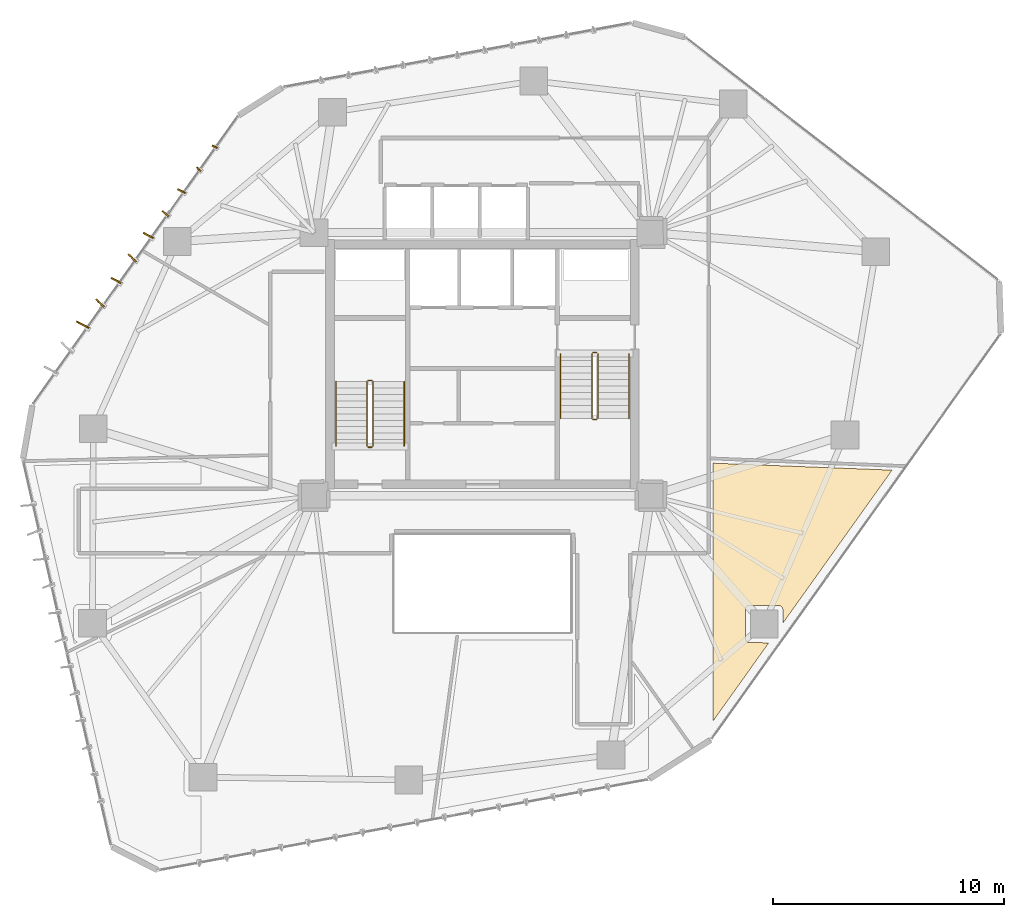
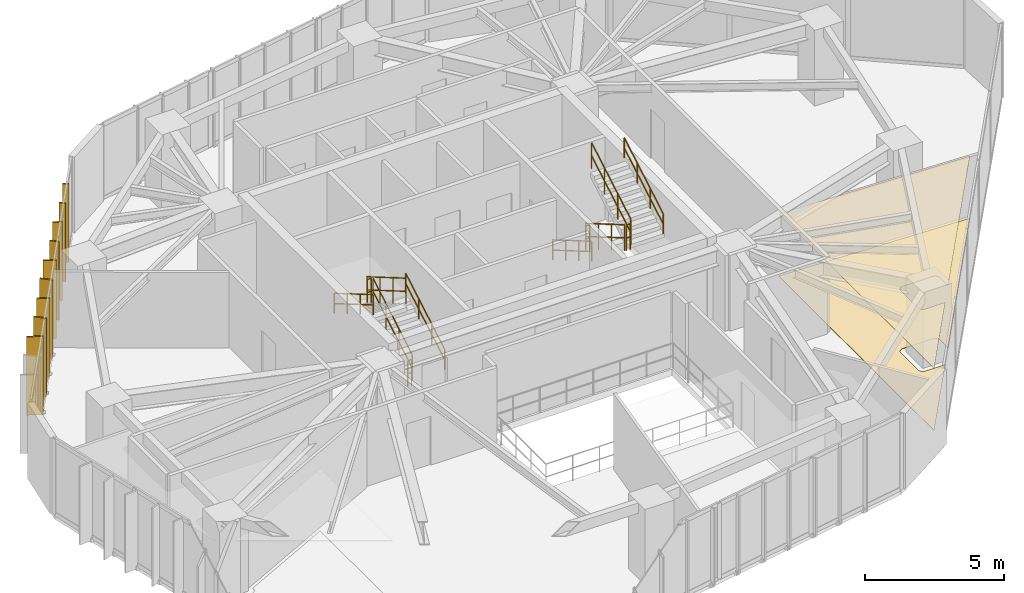
# One storey, part 21 of 22: 12 railings, 9 shading devices, 2 coverings.
"""IFC4 building model written with IfcOpenShell, lengths in metres."""

from ifc_helpers import new_model, si_unit, direction, frame, origin, origin_2d, place, context, subcontext, project, spatial, polyline, rectangle, circle, outline, extrude, source, transform, mapped, material, layer, layer_set, type_object, type_shapes, element, save


model = new_model("IFC4")

# Units and contexts
model_context = context("Model", 3, precision=1e-05, world=origin(), true_north=direction((0.0, 1.0)))
body_context = subcontext(model_context, "Body", "Model", "MODEL_VIEW")
ifc_project = project(units=[si_unit("LENGTHUNIT", "METRE"), si_unit("AREAUNIT", "SQUARE_METRE"), si_unit("VOLUMEUNIT", "CUBIC_METRE"), si_unit("PLANEANGLEUNIT", "RADIAN"), si_unit("MASSUNIT", "GRAM", prefix="KILO")], contexts=[model_context])

# Site, building, storey
site_placement = place(None, origin())
site = spatial("IfcSite", under=ifc_project, at=site_placement, CompositionType="ELEMENT")
building_placement = place(site_placement, origin())
building = spatial("IfcBuilding", under=site, at=building_placement, Name="Talar Marvaseh", CompositionType="ELEMENT")
storey_placement = place(building_placement, frame((0.0, 0.0, 121.800048828125)))
storey = spatial("IfcBuildingStorey", under=building, at=storey_placement, Name="L31", CompositionType="ELEMENT", Elevation=121.800048828125)

# Railings
ifc_material_1 = material(Name="Stainless Steel Grade 316", Category="steel")
railing_type_1 = type_object("IfcRailingType", Name="Brushed Stainless Wall Pitch Handrail 900", PredefinedType="HANDRAIL", material=ifc_material_1)
railing_1_placement = place(storey_placement, frame((22.610107421875, 27.64990234375, 0.16357421875)))
element("IfcRailing", 1, at=railing_1_placement, inside=storey, type_object=railing_type_1, Name="L31 ST-1 stair handrail 1", PredefinedType="HANDRAIL", context=body_context, shape_type="SweptSolid", body=[
    extrude(circle(Radius=0.02392578125, at=origin_2d()), frame((0.0, 0.0, 0.8759765625), z_axis=(0.0, 0.863360870873, 0.504586966384), x_axis=(-1.0, 0.0, 0.0)), (0.0, 0.0, 1.0), 3.2431640625),
    extrude(circle(Radius=0.02392578125, at=origin_2d()), frame((0.0, 0.0, 0.42578125), z_axis=(0.0, 0.863360870873, 0.504586966384), x_axis=(-1.0, 0.0, 0.0)), (0.0, 0.0, 1.0), 3.2431640625),
    extrude(circle(Radius=0.02099609375, at=origin_2d()), origin(), (0.0, 0.0, 1.0), 0.851806640625),
    extrude(circle(Radius=0.02099609375, at=origin_2d()), frame((0.0, 0.933349609375, 0.54541015625)), (0.0, 0.0, 1.0), 0.851806640625),
    extrude(circle(Radius=0.02099609375, at=origin_2d()), frame((0.0, 1.86669921875, 1.091064453125)), (0.0, 0.0, 1.0), 0.851806640625),
    extrude(circle(Radius=0.02099609375, at=origin_2d()), frame((0.0, 2.800048828125, 1.636474609375)), (0.0, 0.0, 1.0), 0.851806640625),
])
railing_2_placement = place(storey_placement, frame((19.64990234375, 30.449951171875, 1.963623046875)))
element("IfcRailing", 2, at=railing_2_placement, inside=storey, type_object=railing_type_1, Name="L31 ST-1 stair handrail 2", PredefinedType="HANDRAIL", context=body_context, shape_type="SweptSolid", body=[
    extrude(circle(Radius=0.02392578125, at=origin_2d()), frame((0.0, 0.0, 0.8759765625), z_axis=(0.0, -0.863393664356, 0.504530851732), x_axis=(1.0, 0.0, 0.0)), (0.0, 0.0, 1.0), 3.2431640625),
    extrude(circle(Radius=0.02392578125, at=origin_2d()), frame((0.0, 0.0, 0.42578125), z_axis=(0.0, -0.863393664356, 0.504530851732), x_axis=(1.0, 0.0, 0.0)), (0.0, 0.0, 1.0), 3.2431640625),
    extrude(circle(Radius=0.02099609375, at=origin_2d()), origin(), (0.0, 0.0, 1.0), 0.851806640625),
    extrude(circle(Radius=0.02099609375, at=origin_2d()), frame((0.0, -0.933349609375, 0.54541015625)), (0.0, 0.0, 1.0), 0.851806640625),
    extrude(circle(Radius=0.02099609375, at=origin_2d()), frame((0.0, -1.86669921875, 1.0908203125)), (0.0, 0.0, 1.0), 0.851806640625),
    extrude(circle(Radius=0.02099609375, at=origin_2d()), frame((0.0, -2.800048828125, 1.63623046875)), (0.0, 0.0, 1.0), 0.851806640625),
])
railing_3_placement = place(storey_placement, frame((29.389892578125, 31.64990234375, 0.16357421875)))
element("IfcRailing", 3, at=railing_3_placement, inside=storey, type_object=railing_type_1, Name="L31 ST-2 stair handrail 1", PredefinedType="HANDRAIL", context=body_context, shape_type="SweptSolid", body=[
    extrude(circle(Radius=0.02392578125, at=origin_2d()), frame((0.0, 0.0, 0.8759765625), z_axis=(0.0, -0.863341702679, 0.504619762213), x_axis=(1.0, 0.0, 0.0)), (0.0, 0.0, 1.0), 3.242919921875),
    extrude(circle(Radius=0.02392578125, at=origin_2d()), frame((0.0, 0.0, 0.42578125), z_axis=(0.0, -0.863341702679, 0.504619762213), x_axis=(1.0, 0.0, 0.0)), (0.0, 0.0, 1.0), 3.242919921875),
    extrude(circle(Radius=0.02099609375, at=origin_2d()), origin(), (0.0, 0.0, 1.0), 0.851806640625),
    extrude(circle(Radius=0.02099609375, at=origin_2d()), frame((0.0, -0.933349609375, 0.54541015625)), (0.0, 0.0, 1.0), 0.851806640625),
    extrude(circle(Radius=0.02099609375, at=origin_2d()), frame((0.0, -1.866455078125, 1.091064453125)), (0.0, 0.0, 1.0), 0.851806640625),
    extrude(circle(Radius=0.02099609375, at=origin_2d()), frame((0.0, -2.7998046875, 1.636474609375)), (0.0, 0.0, 1.0), 0.851806640625),
])
railing_4_placement = place(storey_placement, frame((32.35009765625, 28.85009765625, 1.963623046875)))
element("IfcRailing", 4, at=railing_4_placement, inside=storey, type_object=railing_type_1, Name="L31 ST-2 stair handrail 2", PredefinedType="HANDRAIL", context=body_context, shape_type="SweptSolid", body=[
    extrude(circle(Radius=0.02392578125, at=origin_2d()), frame((0.0, 0.0, 0.8759765625), z_axis=(0.0, 0.863374499697, 0.504563646405), x_axis=(-1.0, 0.0, 0.0)), (0.0, 0.0, 1.0), 3.242919921875),
    extrude(circle(Radius=0.02392578125, at=origin_2d()), frame((0.0, 0.0, 0.42578125), z_axis=(0.0, 0.863374499697, 0.504563646405), x_axis=(-1.0, 0.0, 0.0)), (0.0, 0.0, 1.0), 3.242919921875),
    extrude(circle(Radius=0.02099609375, at=origin_2d()), origin(), (0.0, 0.0, 1.0), 0.851806640625),
    extrude(circle(Radius=0.02099609375, at=origin_2d()), frame((0.0, 0.933349609375, 0.54541015625)), (0.0, 0.0, 1.0), 0.851806640625),
    extrude(circle(Radius=0.02099609375, at=origin_2d()), frame((0.0, 1.866455078125, 1.0908203125)), (0.0, 0.0, 1.0), 0.851806640625),
    extrude(circle(Radius=0.02099609375, at=origin_2d()), frame((0.0, 2.7998046875, 1.63623046875)), (0.0, 0.0, 1.0), 0.851806640625),
])
railing_type_2 = type_object("IfcRailingType", Name="Painted Steel Core Stair Well Guardrail 1150", PredefinedType="GUARDRAIL", material=ifc_material_1)
railing_5_placement = place(storey_placement, frame((21.260009765625, 27.64990234375, 0.16357421875)))
element("IfcRailing", 5, at=railing_5_placement, inside=storey, type_object=railing_type_2, Name="L31 ST-1 stair guard 1", PredefinedType="GUARDRAIL", context=body_context, shape_type="SweptSolid", body=[
    extrude(circle(Radius=0.02392578125, at=origin_2d()), frame((0.0, 0.0, 1.1259765625), z_axis=(0.0, 0.863360870873, 0.504586966384), x_axis=(-1.0, 0.0, 0.0)), (0.0, 0.0, 1.0), 3.2431640625),
    extrude(circle(Radius=0.02392578125, at=origin_2d()), frame((0.0, 0.0, 0.55078125), z_axis=(0.0, 0.863360870873, 0.504586966384), x_axis=(-1.0, 0.0, 0.0)), (0.0, 0.0, 1.0), 3.2431640625),
    extrude(circle(Radius=0.02099609375, at=origin_2d()), origin(), (0.0, 0.0, 1.0), 1.101806640625),
    extrude(circle(Radius=0.02099609375, at=origin_2d()), frame((0.0, 0.933349609375, 0.54541015625)), (0.0, 0.0, 1.0), 1.101806640625),
    extrude(circle(Radius=0.02099609375, at=origin_2d()), frame((0.0, 1.86669921875, 1.091064453125)), (0.0, 0.0, 1.0), 1.101806640625),
    extrude(circle(Radius=0.02099609375, at=origin_2d()), frame((0.0, 2.800048828125, 1.636474609375)), (0.0, 0.0, 1.0), 1.101806640625),
])
railing_6_placement = place(storey_placement, frame((21.2099609375, 30.5, 1.800048828125)))
element("IfcRailing", 6, at=railing_6_placement, inside=storey, type_object=railing_type_2, Name="L31 ST-1 stair guard 2", PredefinedType="GUARDRAIL", context=body_context, shape_type="SweptSolid", body=[
    extrude(circle(Radius=0.02392578125, at=origin_2d()), frame((0.0, 0.0, 1.1259765625), z_axis=(-1.0, 0.0, 0.0), x_axis=(0.0, -1.0, 0.0)), (0.0, 0.0, 1.0), 0.159912109375),
    extrude(circle(Radius=0.02392578125, at=origin_2d()), frame((0.0, 0.0, 0.55078125), z_axis=(-1.0, 0.0, 0.0), x_axis=(0.0, -1.0, 0.0)), (0.0, 0.0, 1.0), 0.159912109375),
    extrude(circle(Radius=0.02099609375, at=origin_2d()), origin(), (0.0, 0.0, 1.0), 1.101806640625),
    extrude(circle(Radius=0.02099609375, at=origin_2d()), frame((-0.159912109375, 0.0, 0.0)), (0.0, 0.0, 1.0), 1.101806640625),
])
railing_7_placement = place(storey_placement, frame((21.0, 30.449951171875, 1.963623046875)))
element("IfcRailing", 7, at=railing_7_placement, inside=storey, type_object=railing_type_2, Name="L31 ST-1 stair guard 3", PredefinedType="GUARDRAIL", context=body_context, shape_type="SweptSolid", body=[
    extrude(circle(Radius=0.02392578125, at=origin_2d()), frame((0.0, 0.0, 1.1259765625), z_axis=(0.0, -0.863393664356, 0.504530851732), x_axis=(1.0, 0.0, 0.0)), (0.0, 0.0, 1.0), 3.2431640625),
    extrude(circle(Radius=0.02392578125, at=origin_2d()), frame((0.0, 0.0, 0.55078125), z_axis=(0.0, -0.863393664356, 0.504530851732), x_axis=(1.0, 0.0, 0.0)), (0.0, 0.0, 1.0), 3.2431640625),
    extrude(circle(Radius=0.02099609375, at=origin_2d()), origin(), (0.0, 0.0, 1.0), 1.101806640625),
    extrude(circle(Radius=0.02099609375, at=origin_2d()), frame((0.0, -0.933349609375, 0.54541015625)), (0.0, 0.0, 1.0), 1.101806640625),
    extrude(circle(Radius=0.02099609375, at=origin_2d()), frame((0.0, -1.86669921875, 1.0908203125)), (0.0, 0.0, 1.0), 1.101806640625),
    extrude(circle(Radius=0.02099609375, at=origin_2d()), frame((0.0, -2.800048828125, 1.63623046875)), (0.0, 0.0, 1.0), 1.101806640625),
])
railing_8_placement = place(storey_placement, frame((21.2099609375, 27.60009765625, 0.0)))
element("IfcRailing", 8, at=railing_8_placement, inside=storey, type_object=railing_type_2, Name="L31 ST-1 stair guard 4", PredefinedType="GUARDRAIL", context=body_context, shape_type="SweptSolid", body=[
    extrude(circle(Radius=0.02392578125, at=origin_2d()), frame((0.0, 0.0, 1.1259765625), z_axis=(-1.0, 0.0, 0.0), x_axis=(0.0, -1.0, 0.0)), (0.0, 0.0, 1.0), 0.159912109375),
    extrude(circle(Radius=0.02392578125, at=origin_2d()), frame((0.0, 0.0, 0.55078125), z_axis=(-1.0, 0.0, 0.0), x_axis=(0.0, -1.0, 0.0)), (0.0, 0.0, 1.0), 0.159912109375),
    extrude(circle(Radius=0.02099609375, at=origin_2d()), origin(), (0.0, 0.0, 1.0), 1.101806640625),
    extrude(circle(Radius=0.02099609375, at=origin_2d()), frame((-0.159912109375, 0.0, 0.0)), (0.0, 0.0, 1.0), 1.101806640625),
])
railing_9_placement = place(storey_placement, frame((30.739990234375, 31.64990234375, 0.16357421875)))
element("IfcRailing", 9, at=railing_9_placement, inside=storey, type_object=railing_type_2, Name="L31 ST-2 stair guard 1", PredefinedType="GUARDRAIL", context=body_context, shape_type="SweptSolid", body=[
    extrude(circle(Radius=0.02392578125, at=origin_2d()), frame((0.0, 0.0, 1.1259765625), z_axis=(0.0, -0.863341702679, 0.504619762213), x_axis=(1.0, 0.0, 0.0)), (0.0, 0.0, 1.0), 3.242919921875),
    extrude(circle(Radius=0.02392578125, at=origin_2d()), frame((0.0, 0.0, 0.55078125), z_axis=(0.0, -0.863341702679, 0.504619762213), x_axis=(1.0, 0.0, 0.0)), (0.0, 0.0, 1.0), 3.242919921875),
    extrude(circle(Radius=0.02099609375, at=origin_2d()), origin(), (0.0, 0.0, 1.0), 1.101806640625),
    extrude(circle(Radius=0.02099609375, at=origin_2d()), frame((0.0, -0.933349609375, 0.54541015625)), (0.0, 0.0, 1.0), 1.101806640625),
    extrude(circle(Radius=0.02099609375, at=origin_2d()), frame((0.0, -1.866455078125, 1.091064453125)), (0.0, 0.0, 1.0), 1.101806640625),
    extrude(circle(Radius=0.02099609375, at=origin_2d()), frame((0.0, -2.7998046875, 1.636474609375)), (0.0, 0.0, 1.0), 1.101806640625),
])
railing_10_placement = place(storey_placement, frame((30.7900390625, 28.800048828125, 1.800048828125)))
element("IfcRailing", 10, at=railing_10_placement, inside=storey, type_object=railing_type_2, Name="L31 ST-2 stair guard 2", PredefinedType="GUARDRAIL", context=body_context, shape_type="SweptSolid", body=[
    extrude(circle(Radius=0.02392578125, at=origin_2d()), frame((0.0, 0.0, 1.1259765625), z_axis=(1.0, 0.0, 0.0), x_axis=(0.0, 1.0, 0.0)), (0.0, 0.0, 1.0), 0.159912109375),
    extrude(circle(Radius=0.02392578125, at=origin_2d()), frame((0.0, 0.0, 0.55078125), z_axis=(1.0, 0.0, 0.0), x_axis=(0.0, 1.0, 0.0)), (0.0, 0.0, 1.0), 0.159912109375),
    extrude(circle(Radius=0.02099609375, at=origin_2d()), origin(), (0.0, 0.0, 1.0), 1.101806640625),
    extrude(circle(Radius=0.02099609375, at=origin_2d()), frame((0.159912109375, 0.0, 0.0)), (0.0, 0.0, 1.0), 1.101806640625),
])
railing_11_placement = place(storey_placement, frame((31.0, 28.85009765625, 1.963623046875)))
element("IfcRailing", 11, at=railing_11_placement, inside=storey, type_object=railing_type_2, Name="L31 ST-2 stair guard 3", PredefinedType="GUARDRAIL", context=body_context, shape_type="SweptSolid", body=[
    extrude(circle(Radius=0.02392578125, at=origin_2d()), frame((0.0, 0.0, 1.1259765625), z_axis=(0.0, 0.863374499697, 0.504563646405), x_axis=(-1.0, 0.0, 0.0)), (0.0, 0.0, 1.0), 3.242919921875),
    extrude(circle(Radius=0.02392578125, at=origin_2d()), frame((0.0, 0.0, 0.55078125), z_axis=(0.0, 0.863374499697, 0.504563646405), x_axis=(-1.0, 0.0, 0.0)), (0.0, 0.0, 1.0), 3.242919921875),
    extrude(circle(Radius=0.02099609375, at=origin_2d()), origin(), (0.0, 0.0, 1.0), 1.101806640625),
    extrude(circle(Radius=0.02099609375, at=origin_2d()), frame((0.0, 0.933349609375, 0.54541015625)), (0.0, 0.0, 1.0), 1.101806640625),
    extrude(circle(Radius=0.02099609375, at=origin_2d()), frame((0.0, 1.866455078125, 1.0908203125)), (0.0, 0.0, 1.0), 1.101806640625),
    extrude(circle(Radius=0.02099609375, at=origin_2d()), frame((0.0, 2.7998046875, 1.63623046875)), (0.0, 0.0, 1.0), 1.101806640625),
])
railing_12_placement = place(storey_placement, frame((30.7900390625, 31.699951171875, 0.0)))
element("IfcRailing", 12, at=railing_12_placement, inside=storey, type_object=railing_type_2, Name="L31 ST-2 stair guard 4", PredefinedType="GUARDRAIL", context=body_context, shape_type="SweptSolid", body=[
    extrude(circle(Radius=0.02392578125, at=origin_2d()), frame((0.0, 0.0, 1.1259765625), z_axis=(1.0, 0.0, 0.0), x_axis=(0.0, 1.0, 0.0)), (0.0, 0.0, 1.0), 0.159912109375),
    extrude(circle(Radius=0.02392578125, at=origin_2d()), frame((0.0, 0.0, 0.55078125), z_axis=(1.0, 0.0, 0.0), x_axis=(0.0, 1.0, 0.0)), (0.0, 0.0, 1.0), 0.159912109375),
    extrude(circle(Radius=0.02099609375, at=origin_2d()), origin(), (0.0, 0.0, 1.0), 1.101806640625),
    extrude(circle(Radius=0.02099609375, at=origin_2d()), frame((0.159912109375, 0.0, 0.0)), (0.0, 0.0, 1.0), 1.101806640625),
])

# Coverings
ifc_material_2 = material(Name="Mineral Fibre Acoustic Ceiling")
ifc_layer_1 = layer(ifc_material_2, 0.02490234375)
ifc_layer_set_1 = layer_set([ifc_layer_1], Name="Mineral Fibre Acoustic Ceiling")
covering_type_1 = type_object("IfcCoveringType", Name="Perforated Mineral Fibre Acoustic Suspended Ceiling", PredefinedType="CEILING", material=ifc_layer_set_1)
covering_1_placement = place(storey_placement, frame((0.0, 0.0, 2.719970703125)))
element("IfcCovering", 13, at=covering_1_placement, inside=storey, type_object=covering_type_1, Name="L31 Archival Research Office Acoustic Ceiling", PredefinedType="CEILING", context=body_context, shape_type="SweptSolid", body=[
    extrude(outline(polyline([(39.0126953125, 20.59130859375), (39.0078125, 20.610107421875), (39.001220703125, 20.628662109375), (38.99267578125, 20.646240234375), (38.982666015625, 20.6630859375), (38.970947265625, 20.6787109375), (38.957763671875, 20.693359375), (38.943115234375, 20.706298828125), (38.927490234375, 20.718017578125), (38.91064453125, 20.72802734375), (38.89306640625, 20.736328125), (38.87451171875, 20.742919921875), (38.85546875, 20.747802734375), (38.836181640625, 20.75048828125), (38.816650390625, 20.751708984375), (37.595458984375, 20.751708984375), (37.57568359375, 20.75048828125), (37.556396484375, 20.747802734375), (37.537353515625, 20.742919921875), (37.518798828125, 20.736328125), (37.501220703125, 20.72802734375), (37.484375, 20.718017578125), (37.468505859375, 20.706298828125), (37.4541015625, 20.693115234375), (37.44091796875, 20.678466796875), (37.42919921875, 20.66259765625), (37.4189453125, 20.64599609375), (37.41064453125, 20.628173828125), (37.404052734375, 20.609619140625), (37.399169921875, 20.590576171875), (37.396484375, 20.5712890625), (37.3955078125, 20.551513671875), (37.3955078125, 19.330322265625), (37.396484375, 19.310791015625), (37.399169921875, 19.29150390625), (37.404052734375, 19.2724609375), (37.41064453125, 19.25390625), (37.4189453125, 19.236328125), (37.428955078125, 19.219482421875), (37.440673828125, 19.203857421875), (37.45361328125, 19.189208984375), (37.46826171875, 19.176025390625), (37.48388671875, 19.164306640625), (37.500732421875, 19.154296875), (37.518310546875, 19.145751953125), (37.536865234375, 19.13916015625), (37.555908203125, 19.134521484375), (37.5751953125, 19.13134765625), (37.5947265625, 19.13037109375), (38.411865234375, 19.12744140625), (36.0, 15.747314453125), (36.0, 23.0), (36.0, 26.910400390625), (43.75, 26.6083984375), (39.018798828125, 19.977783203125), (39.0166015625, 20.55224609375), (39.015625, 20.572021484375), (39.0126953125, 20.59130859375)])), origin(), (0.0, 0.0, 1.0), 0.02490234375),
])
ifc_material_3 = material(Name="Porcelain Stoneware Tile", Category="masonry")
ifc_layer_2 = layer(ifc_material_3, 0.02001953125)
ifc_layer_set_2 = layer_set([ifc_layer_2], Name="Porcelain Stoneware Tile")
covering_type_2 = type_object("IfcCoveringType", Name="Polished Porcelain Stoneware Gallery Flooring", PredefinedType="FLOORING", material=ifc_layer_set_2)
covering_2_placement = place(storey_placement, origin())
element("IfcCovering", 14, at=covering_2_placement, inside=storey, type_object=covering_type_2, Name="L31 Archival Research Office Flooring", PredefinedType="FLOORING", context=body_context, shape_type="SweptSolid", body=[
    extrude(outline(polyline([(39.0126953125, 20.59130859375), (39.0078125, 20.610107421875), (39.001220703125, 20.628662109375), (38.99267578125, 20.646240234375), (38.982666015625, 20.6630859375), (38.970947265625, 20.6787109375), (38.957763671875, 20.693359375), (38.943115234375, 20.706298828125), (38.927490234375, 20.718017578125), (38.91064453125, 20.72802734375), (38.89306640625, 20.736328125), (38.87451171875, 20.742919921875), (38.85546875, 20.747802734375), (38.836181640625, 20.75048828125), (38.816650390625, 20.751708984375), (37.595458984375, 20.751708984375), (37.57568359375, 20.75048828125), (37.556396484375, 20.747802734375), (37.537353515625, 20.742919921875), (37.518798828125, 20.736328125), (37.501220703125, 20.72802734375), (37.484375, 20.718017578125), (37.468505859375, 20.706298828125), (37.4541015625, 20.693115234375), (37.44091796875, 20.678466796875), (37.42919921875, 20.66259765625), (37.4189453125, 20.64599609375), (37.41064453125, 20.628173828125), (37.404052734375, 20.609619140625), (37.399169921875, 20.590576171875), (37.396484375, 20.5712890625), (37.3955078125, 20.551513671875), (37.3955078125, 19.330322265625), (37.396484375, 19.310791015625), (37.399169921875, 19.29150390625), (37.404052734375, 19.2724609375), (37.41064453125, 19.25390625), (37.4189453125, 19.236328125), (37.428955078125, 19.219482421875), (37.440673828125, 19.203857421875), (37.45361328125, 19.189208984375), (37.46826171875, 19.176025390625), (37.48388671875, 19.164306640625), (37.500732421875, 19.154296875), (37.518310546875, 19.145751953125), (37.536865234375, 19.13916015625), (37.555908203125, 19.134521484375), (37.5751953125, 19.13134765625), (37.5947265625, 19.13037109375), (38.411865234375, 19.12744140625), (36.0, 15.747314453125), (36.0, 23.0), (36.0, 26.910400390625), (43.75, 26.6083984375), (39.018798828125, 19.977783203125), (39.0166015625, 20.55224609375), (39.015625, 20.572021484375), (39.0126953125, 20.59130859375)])), origin(), (0.0, 0.0, 1.0), 0.02001953125),
])

# Shading devices
ifc_material_4 = material(Name="Anodised Champagne Bronze Aluminium", Category="aluminium")
ifc_layer_3 = layer(ifc_material_4, 0.06494140625)
ifc_layer_set_3 = layer_set([ifc_layer_3], Name="Anodised Champagne Bronze Aluminium")
shading_device_type_1 = type_object("IfcShadingDeviceType", Name="Sawtooth Champagne Bronze Vertical Fin 240", PredefinedType="USERDEFINED", material=ifc_layer_set_3)
shared_shape_1 = source(origin(), body_context, "Body", "SweptSolid", [
    extrude(rectangle(XDim=0.239990234375, YDim=0.06494140625, at=origin_2d()), origin(), (0.0, 0.0, 1.0), 3.429931640625),
])
type_shapes(shading_device_type_1, [shared_shape_1])
for number, where, z_axis, x_axis, name in (
    (15, (13.705322265625, 39.642578125, -0.1201171875), (0.0, 0.0, 1.0), (-0.726214813211, 0.687467850211, 0.0), "L31 Sawtooth Vertical Solar Fin"),
    (16, (14.401123046875, 40.620361328125, -0.1201171875), (0.0, 0.0, 1.0), (-0.887574303404, 0.460664580728, 0.0), "L31 Sawtooth Vertical Solar Fin"),
):
    element("IfcShadingDevice", number, at=place(storey_placement, frame(where, z_axis=z_axis, x_axis=x_axis)), inside=storey, type_object=shading_device_type_1, Name=name, ObjectType="FIN", PredefinedType="USERDEFINED", context=body_context, shape_type="MappedRepresentation", body=[
        mapped(shared_shape_1, transform((0.0, 0.0, 0.0), x_axis=(1.0, 0.0, 0.0), y_axis=(0.0, 1.0, 0.0), z_axis=(0.0, 0.0, 1.0), scale=1.0)),
    ])
ifc_layer_4 = layer(ifc_material_4, 0.06494140625)
ifc_layer_set_4 = layer_set([ifc_layer_4], Name="Anodised Champagne Bronze Aluminium")
shading_device_type_2 = type_object("IfcShadingDeviceType", Name="Sawtooth Champagne Bronze Vertical Fin 360", PredefinedType="USERDEFINED", material=ifc_layer_set_4)
shared_shape_2 = source(origin(), body_context, "Body", "SweptSolid", [
    extrude(rectangle(XDim=0.360107421875, YDim=0.06494140625, at=origin_2d()), origin(), (0.0, 0.0, 1.0), 3.429931640625),
])
type_shapes(shading_device_type_2, [shared_shape_2])
for number, where, z_axis, x_axis, name in (
    (17, (12.26513671875, 37.7216796875, -0.1201171875), (0.0, 0.0, 1.0), (-0.726214813211, 0.687467850211, 0.0), "L31 Sawtooth Vertical Solar Fin"),
    (18, (12.960693359375, 38.69970703125, -0.1201171875), (0.0, 0.0, 1.0), (-0.887574303404, 0.460664580728, 0.0), "L31 Sawtooth Vertical Solar Fin"),
):
    element("IfcShadingDevice", number, at=place(storey_placement, frame(where, z_axis=z_axis, x_axis=x_axis)), inside=storey, type_object=shading_device_type_2, Name=name, ObjectType="FIN", PredefinedType="USERDEFINED", context=body_context, shape_type="MappedRepresentation", body=[
        mapped(shared_shape_2, transform((0.0, 0.0, 0.0), x_axis=(1.0, 0.0, 0.0), y_axis=(0.0, 1.0, 0.0), z_axis=(0.0, 0.0, 1.0), scale=1.0)),
    ])
ifc_layer_5 = layer(ifc_material_4, 0.06494140625)
ifc_layer_set_5 = layer_set([ifc_layer_5], Name="Anodised Champagne Bronze Aluminium")
shading_device_type_3 = type_object("IfcShadingDeviceType", Name="Sawtooth Champagne Bronze Vertical Fin 480", PredefinedType="USERDEFINED", material=ifc_layer_set_5)
shared_shape_3 = source(origin(), body_context, "Body", "SweptSolid", [
    extrude(rectangle(XDim=0.47998046875, YDim=0.06494140625, at=origin_2d()), origin(), (0.0, 0.0, 1.0), 3.429931640625),
])
type_shapes(shading_device_type_3, [shared_shape_3])
for number, where, z_axis, x_axis, name in (
    (19, (9.43359375, 33.845703125, -0.1201171875), (0.0, 0.0, 1.0), (-0.726214813211, 0.687467850211, 0.0), "L31 Sawtooth Vertical Solar Fin"),
    (20, (10.129150390625, 34.8232421875, -0.1201171875), (0.0, 0.0, 1.0), (-0.887574303404, 0.460664580728, 0.0), "L31 Sawtooth Vertical Solar Fin"),
    (21, (10.824951171875, 35.801025390625, -0.1201171875), (0.0, 0.0, 1.0), (-0.726214813211, 0.687467850211, 0.0), "L31 Sawtooth Vertical Solar Fin"),
    (22, (11.5205078125, 36.77880859375, -0.1201171875), (0.0, 0.0, 1.0), (-0.887574303404, 0.460664580728, 0.0), "L31 Sawtooth Vertical Solar Fin"),
):
    element("IfcShadingDevice", number, at=place(storey_placement, frame(where, z_axis=z_axis, x_axis=x_axis)), inside=storey, type_object=shading_device_type_3, Name=name, ObjectType="FIN", PredefinedType="USERDEFINED", context=body_context, shape_type="MappedRepresentation", body=[
        mapped(shared_shape_3, transform((0.0, 0.0, 0.0), x_axis=(1.0, 0.0, 0.0), y_axis=(0.0, 1.0, 0.0), z_axis=(0.0, 0.0, 1.0), scale=1.0)),
    ])
ifc_layer_6 = layer(ifc_material_4, 0.06494140625)
ifc_layer_set_6 = layer_set([ifc_layer_6], Name="Anodised Champagne Bronze Aluminium")
shading_device_type_4 = type_object("IfcShadingDeviceType", Name="Sawtooth Champagne Bronze Vertical Fin 620", PredefinedType="USERDEFINED", material=ifc_layer_set_6)
shared_shape_4 = source(origin(), body_context, "Body", "SweptSolid", [
    extrude(rectangle(XDim=0.6201171875, YDim=0.06494140625, at=origin_2d()), origin(), (0.0, 0.0, 1.0), 3.429931640625),
])
type_shapes(shading_device_type_4, [shared_shape_4])
shading_device_placement = place(storey_placement, frame((8.680908203125, 32.908447265625, -0.1201171875), z_axis=(0.0, 0.0, 1.0), x_axis=(-0.887574303404, 0.460664580728, 0.0)))
element("IfcShadingDevice", 23, at=shading_device_placement, inside=storey, type_object=shading_device_type_4, Name="L31 Sawtooth Vertical Solar Fin", ObjectType="FIN", PredefinedType="USERDEFINED", context=body_context, shape_type="MappedRepresentation", body=[
    mapped(shared_shape_4, transform((0.0, 0.0, 0.0), x_axis=(1.0, 0.0, 0.0), y_axis=(0.0, 1.0, 0.0), z_axis=(0.0, 0.0, 1.0), scale=1.0)),
])

save(model, "model.ifc")
